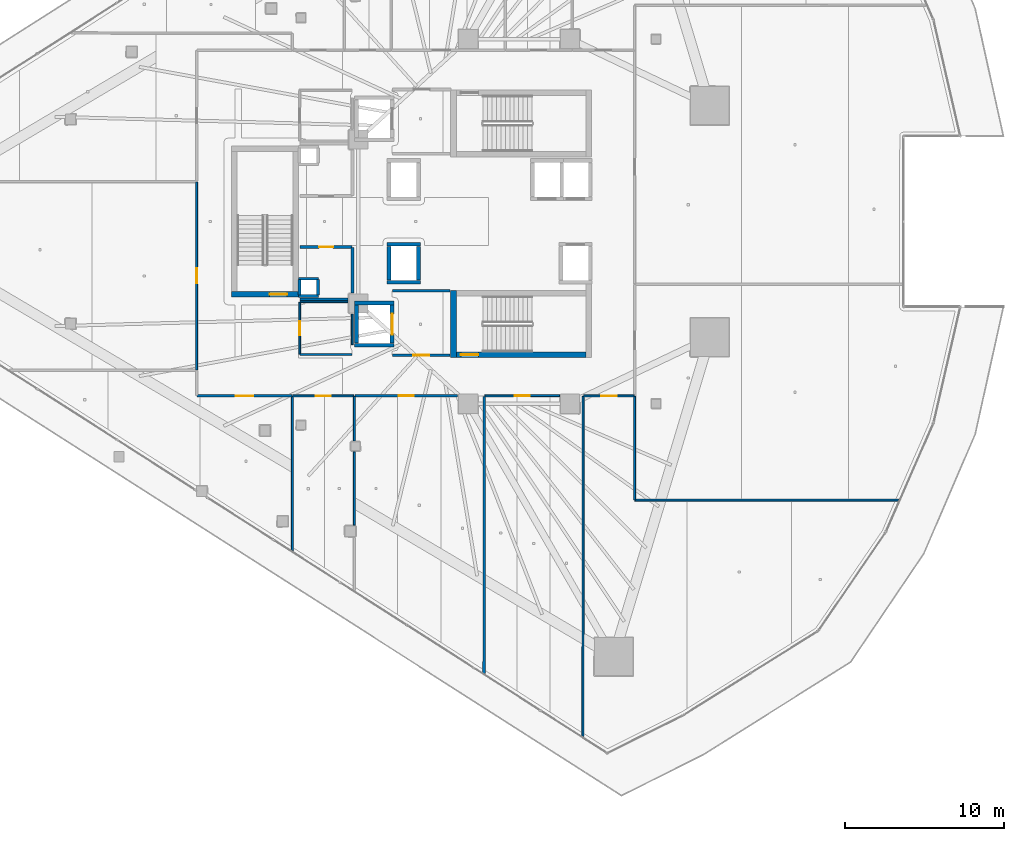
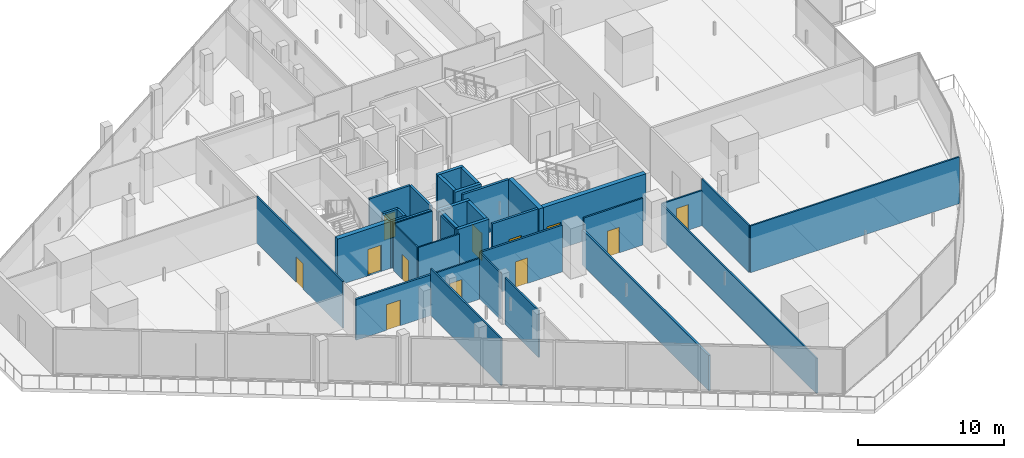
# One storey, part 29 of 44: 37 walls, 12 doors, 12 openings.
"""IFC4 building model written with IfcOpenShell, lengths in metres."""

import ifcopenshell
import ifcopenshell.guid

model = None  # the IFC model being written
_history = None  # IfcOwnerHistory: only IFC2X3 demands one
_inside = {}  # id of a spatial element -> (the spatial element, [elements in it])
_under = {}  # id of a project, library or spatial element -> (it, [spatial elements below it])
_declared = {}  # id of a project -> (the project, [libraries it declares])
_typed = {}  # id of a type object -> (the type object, [elements of that type])
_made_of = {}  # id of a material, layer set ... -> (it, [elements and type objects made of it])


def new_model(schema):
    """Start an empty IFC model of exactly this schema.

    Asked for "IFC4X3", IfcOpenShell would pick the latest addendum, in which some entities
    have other attributes; the version numbers below select the first issue.
    IFC2X3 requires an IfcOwnerHistory on every rooted entity: one is made here for all.
    """
    global model, _history
    if schema == "IFC4X3":
        model = ifcopenshell.file(schema_version=(4, 3, 0, 0))
    else:
        model = ifcopenshell.file(schema=schema)
    _inside.clear()
    _under.clear()
    _declared.clear()
    _typed.clear()
    _made_of.clear()
    _history = None
    if model.schema == "IFC2X3":
        org = make("IfcOrganization", Name="unknown")
        user = make(
            "IfcPersonAndOrganization",
            ThePerson=make("IfcPerson", FamilyName="unknown"),
            TheOrganization=org,
        )
        app = make(
            "IfcApplication",
            ApplicationDeveloper=org,
            Version="unknown",
            ApplicationFullName="unknown",
            ApplicationIdentifier="unknown",
        )
        _history = make(
            "IfcOwnerHistory",
            OwningUser=user,
            OwningApplication=app,
            ChangeAction="ADDED",
            CreationDate=0,
        )
    return model


def make(cls, **values):
    """One entity of the class cls with the attributes given. An attribute that is None is left unset."""
    return model.create_entity(
        cls, **{name: value for name, value in values.items() if value is not None}
    )


def rooted(cls, **values):
    """An entity with a GlobalId (a new one), such as an element, a storey or a relation."""
    return make(cls, GlobalId=ifcopenshell.guid.new(), OwnerHistory=_history, **values)


def si_unit(unit_type, name, prefix=None):
    """IfcSIUnit, for example si_unit("LENGTHUNIT", "METRE", prefix="MILLI")."""
    return make("IfcSIUnit", UnitType=unit_type, Prefix=prefix, Name=name)


def assignment(units):
    """IfcUnitAssignment: the units of a project."""
    return None if units is None else make("IfcUnitAssignment", Units=units)


def point(xyz):
    """IfcCartesianPoint."""
    return None if xyz is None else make("IfcCartesianPoint", Coordinates=xyz)


def direction(xyz):
    """IfcDirection."""
    return None if xyz is None else make("IfcDirection", DirectionRatios=xyz)


def frame(location, z_axis=None, x_axis=None):
    """IfcAxis2Placement3D, a coordinate frame: its origin and axes. An axis left out is left unset."""
    return make(
        "IfcAxis2Placement3D",
        Location=point(location),
        Axis=direction(z_axis),
        RefDirection=direction(x_axis),
    )


def frame_2d(location, x_axis=None):
    """IfcAxis2Placement2D, a coordinate frame in the plane: its origin and x axis."""
    return make(
        "IfcAxis2Placement2D", Location=point(location), RefDirection=direction(x_axis)
    )


def origin():
    """The frame at (0, 0, 0) with its axes left unset."""
    return frame((0.0, 0.0, 0.0))


def place(relative_to, where):
    """IfcLocalPlacement: puts the frame where relative to a parent placement (None: the world)."""
    return make(
        "IfcLocalPlacement", PlacementRelTo=relative_to, RelativePlacement=where
    )


def context(
    kind, dimensions, precision=None, world=None, true_north=None, identifier=None
):
    """IfcGeometricRepresentationContext, for example the 3D "Model" context."""
    return make(
        "IfcGeometricRepresentationContext",
        ContextIdentifier=identifier,
        ContextType=kind,
        CoordinateSpaceDimension=dimensions,
        Precision=precision,
        WorldCoordinateSystem=world,
        TrueNorth=true_north,
    )


def subcontext(parent, identifier, kind, view, scale=None):
    """IfcGeometricRepresentationSubContext, for example "Body" below "Model"."""
    return make(
        "IfcGeometricRepresentationSubContext",
        ContextIdentifier=identifier,
        ContextType=kind,
        ParentContext=parent,
        TargetScale=scale,
        TargetView=view,
    )


def project(units=None, contexts=None):
    """IfcProject with its units and contexts."""
    return rooted(
        "IfcProject",
        Name="project",
        RepresentationContexts=contexts,
        UnitsInContext=assignment(units),
    )


def spatial(cls, under=None, at=None, **own):
    """A site, building, storey or space (cls), placed at a placement, below another one or the project."""
    s = rooted(cls, ObjectPlacement=at, **own)
    if under is not None:
        _under.setdefault(under.id(), (under, []))[1].append(s)
    return s


def profile(cls, at=None, kind="AREA", **sizes):
    """A parametric profile (cls). Its sizes go by their IFC names, for example OverallWidth=200.0."""
    return make(cls, ProfileType=kind, Position=at, **sizes)


def rectangle(**sizes):
    """IfcRectangleProfileDef."""
    return profile("IfcRectangleProfileDef", **sizes)


def extrude(swept, where, along, depth):
    """IfcExtrudedAreaSolid: the profile swept, set in the frame where, extruded along a direction by depth."""
    return make(
        "IfcExtrudedAreaSolid",
        SweptArea=swept,
        Position=where,
        ExtrudedDirection=direction(along),
        Depth=depth,
    )


def shape(context_of_items, identifier, shape_type, items):
    """IfcShapeRepresentation: the items that make up one representation, for example the "Body"."""
    return make(
        "IfcShapeRepresentation",
        ContextOfItems=context_of_items,
        RepresentationIdentifier=identifier,
        RepresentationType=shape_type,
        Items=items,
    )


def material(Name=None, Category=None):
    """IfcMaterial."""
    return make("IfcMaterial", Name=Name, Category=Category)


def layer(
    of_material, thickness, ventilated=None, Name=None, Category=None, Priority=None
):
    """IfcMaterialLayer: one layer of a wall or slab, of a material (None: an air gap)."""
    return make(
        "IfcMaterialLayer",
        Material=of_material,
        LayerThickness=thickness,
        IsVentilated=ventilated,
        Name=Name,
        Category=Category,
        Priority=Priority,
    )


def layer_set(layers, Name=None):
    """IfcMaterialLayerSet."""
    return make("IfcMaterialLayerSet", MaterialLayers=layers, LayerSetName=Name)


def made_of(thing, what):
    """Note that an element or type object is made of a material, layer set ...; save() writes the relation."""
    if what is not None:
        _made_of.setdefault(what.id(), (what, []))[1].append(thing)
    return thing


def type_object(cls, material=None, **own):
    """A type object (cls), such as IfcWallType, which elements share."""
    return made_of(rooted(cls, **own), material)


def element(
    cls,
    number,
    at=None,
    inside=None,
    cuts=None,
    type_object=None,
    material=None,
    context=None,
    identifier="Body",
    shape_type=None,
    held_by="IfcProductDefinitionShape",
    body=None,
    shapes=None,
    **own,
):
    """One element of the class cls, such as IfcWall. Its Tag is "e" and its number.

    at: its placement. inside: the storey or other place that contains it. cuts: it is an
    opening in that element (IfcRelVoidsElement). A single representation is given by context,
    identifier, shape_type and body (its items); several are given by shapes. held_by: the class
    of the entity that holds the representations. save() writes the other relations.
    """
    e = rooted(cls, Tag="e%d" % number, ObjectPlacement=at, **own)
    if body is not None:
        shapes = [shape(context, identifier, shape_type, body)]
    if shapes is not None:
        e.Representation = make(held_by, Representations=shapes)
    if inside is not None:
        _inside.setdefault(inside.id(), (inside, []))[1].append(e)
    if cuts is not None:
        rooted(
            "IfcRelVoidsElement", RelatingBuildingElement=cuts, RelatedOpeningElement=e
        )
    if type_object is not None:
        _typed.setdefault(type_object.id(), (type_object, []))[1].append(e)
    return made_of(e, material)


def fill(opening, filler):
    """IfcRelFillsElement: the door or window that sits in an opening."""
    return rooted(
        "IfcRelFillsElement",
        RelatingOpeningElement=opening,
        RelatedBuildingElement=filler,
    )


def aggregate(whole, parts):
    """IfcRelAggregates: a whole, such as a stair, and the parts it consists of."""
    return rooted("IfcRelAggregates", RelatingObject=whole, RelatedObjects=parts)


def save(model, path):
    """Write the relations noted so far, then the file.

    IfcRelAggregates (storeys below a building ...), IfcRelContainedInSpatialStructure (elements
    in a storey), IfcRelDefinesByType, IfcRelAssociatesMaterial and IfcRelDeclares: one each for
    every whole, place, type object, material and project.
    """
    for whole, parts in _under.values():
        aggregate(whole, parts)
    for where, things in _inside.values():
        rooted(
            "IfcRelContainedInSpatialStructure",
            RelatedElements=things,
            RelatingStructure=where,
        )
    for kind, things in _typed.values():
        rooted("IfcRelDefinesByType", RelatedObjects=things, RelatingType=kind)
    for what, things in _made_of.values():
        rooted("IfcRelAssociatesMaterial", RelatedObjects=things, RelatingMaterial=what)
    for by, libraries in _declared.values():
        rooted("IfcRelDeclares", RelatingContext=by, RelatedDefinitions=libraries)
    model.write(path)


model = new_model("IFC4")

# Units and contexts
model_context = context("Model", 3, precision=1e-05, world=origin(), true_north=direction((0.0, 1.0)))
body_context = subcontext(model_context, "Body", "Model", "MODEL_VIEW")
ifc_project = project(units=[si_unit("LENGTHUNIT", "METRE"), si_unit("AREAUNIT", "SQUARE_METRE"), si_unit("VOLUMEUNIT", "CUBIC_METRE"), si_unit("PLANEANGLEUNIT", "RADIAN"), si_unit("MASSUNIT", "GRAM", prefix="KILO")], contexts=[model_context])

# Site, building, storey
site_placement = place(None, origin())
site = spatial("IfcSite", under=ifc_project, at=site_placement, CompositionType="ELEMENT")
building_placement = place(site_placement, origin())
building = spatial("IfcBuilding", under=site, at=building_placement, Name="Qorvath Tower", CompositionType="ELEMENT")
storey_placement = place(building_placement, frame((0.0, 0.0, 53.39990234375)))
storey = spatial("IfcBuildingStorey", under=building, at=storey_placement, Name="L11", CompositionType="ELEMENT", Elevation=53.39990234375)

# Walls
ifc_material_1 = material(Name="Gypsum shaftliner on steel studs", Category="steel")
ifc_layer_1 = layer(ifc_material_1, 0.179931640625)
ifc_layer_set_1 = layer_set([ifc_layer_1], Name="FW-LOBBY")
wall_type_1 = type_object("IfcWallType", Name="FW-LOBBY", PredefinedType="PARTITIONING", material=ifc_layer_set_1)
for number, where, z_axis, x_axis, name in (
    (1, (-32.989990234375, -4.675048828125, 0.0), (0.0, 0.0, 1.0), (-1.0, 0.0, 0.0), "MEP Riser Shaft Enclosure Wall S-L11-S"),
    (2, (-34.260009765625, -3.594970703125, 0.0), (0.0, 0.0, 1.0), (1.0, 0.0, 0.0), "MEP Riser Shaft Enclosure Wall S-L11-N"),
):
    element("IfcWall", number, at=place(storey_placement, frame(where, z_axis=z_axis, x_axis=x_axis)), inside=storey, type_object=wall_type_1, Name=name, PredefinedType="PARTITIONING", context=body_context, shape_type="SweptSolid", body=[
        extrude(rectangle(XDim=1.27001953125, YDim=0.179931640625, at=frame_2d((0.635009765625, 0.0))), origin(), (0.0, 0.0, 1.0), 3.920166015625),
    ])
for number, where, z_axis, x_axis, name in (
    (3, (-34.205078125, -4.610107421875, 0.0), (0.0, 0.0, 1.0), (0.0, 1.0, 0.0), "MEP Riser Shaft Enclosure Wall S-L11-W"),
    (4, (-33.044921875, -3.659912109375, 0.0), (0.0, 0.0, 1.0), (0.0, -1.0, 0.0), "MEP Riser Shaft Enclosure Wall S-L11-E"),
):
    element("IfcWall", number, at=place(storey_placement, frame(where, z_axis=z_axis, x_axis=x_axis)), inside=storey, type_object=wall_type_1, Name=name, PredefinedType="PARTITIONING", context=body_context, shape_type="SweptSolid", body=[
        extrude(rectangle(XDim=0.9501953125, YDim=0.179931640625, at=frame_2d((0.47509765625, 0.0))), origin(), (0.0, 0.0, 1.0), 3.920166015625),
    ])

# Wall, opening, door
wall_1_placement = place(storey_placement, frame((-28.35498046875, -8.39990234375, 0.0), z_axis=(0.0, 0.0, 1.0), x_axis=(1.0, 0.0, 0.0)))
wall_1 = element("IfcWall", 5, at=wall_1_placement, inside=storey, type_object=wall_type_1, Name="Interior Partition IW-T1-L11-003", PredefinedType="PARTITIONING", context=body_context, shape_type="SweptSolid", body=[
    extrude(rectangle(XDim=3.6220703125, YDim=0.179931640625, at=frame_2d((1.81103515625, 0.0))), origin(), (0.0, 0.0, 1.0), 3.920166015625),
])
opening_1_placement = place(wall_1_placement, frame((1.31103515625, 0.0, 0.0)))
opening_1 = element("IfcOpeningElement", 6, at=opening_1_placement, cuts=wall_1, Name="Opening D-T1-L11-20", PredefinedType="OPENING", context=body_context, shape_type="SweptSolid", body=[
    extrude(rectangle(XDim=1.0, YDim=2.14990234375, at=frame_2d((0.5, 1.074951171875))), frame((0.0, 0.10009765625, 0.0), z_axis=(0.0, -1.0, 0.0), x_axis=(1.0, 0.0, 0.0)), (0.0, 0.0, 1.0), 0.199951171875),
])
ifc_material_2 = material(Name="Painted galvanised hollow metal", Category="steel")
door_type_1 = type_object("IfcDoorType", Name="FD-60", OperationType="NOTDEFINED", PredefinedType="DOOR", material=ifc_material_2)
door_1_placement = place(opening_1_placement, origin())
door_1 = element("IfcDoor", 7, at=door_1_placement, inside=storey, type_object=door_type_1, Name="Lobby Fire Service Elevator South Door D-T1-L11-20", OperationType="SINGLE_SWING_RIGHT", OverallHeight=2.14990234375, OverallWidth=1.0, PredefinedType="DOOR", context=body_context, shape_type="SweptSolid", body=[
    extrude(rectangle(XDim=1.0, YDim=2.14990234375, at=frame_2d((0.5, 1.074951171875))), frame((0.0, 0.02490234375, 0.0), z_axis=(0.0, -1.0, 0.0), x_axis=(1.0, 0.0, 0.0)), (0.0, 0.0, 1.0), 0.050048828125),
])
fill(opening_1, door_1)

# Walls
wall_2_placement = place(storey_placement, frame((-24.73291015625, -4.35009765625, 0.0), z_axis=(0.0, 0.0, 1.0), x_axis=(-1.0, 0.0, 0.0)))
element("IfcWall", 8, at=wall_2_placement, inside=storey, type_object=wall_type_1, Name="Interior Partition IW-T1-L11-004", PredefinedType="PARTITIONING", context=body_context, shape_type="SweptSolid", body=[
    extrude(rectangle(XDim=3.6220703125, YDim=0.179931640625, at=frame_2d((1.81103515625, 0.0))), origin(), (0.0, 0.0, 1.0), 3.920166015625),
])
wall_3_placement = place(storey_placement, frame((-34.15478515625, -4.89990234375, 0.0), z_axis=(0.0, 0.0, 1.0), x_axis=(1.0, 0.0, 0.0)))
element("IfcWall", 9, at=wall_3_placement, inside=storey, type_object=wall_type_1, Name="Interior Partition IW-T1-L11-016", PredefinedType="PARTITIONING", context=body_context, shape_type="SweptSolid", body=[
    extrude(rectangle(XDim=2.98974609375, YDim=0.179931640625, at=frame_2d((1.494873046875, 0.0))), origin(), (0.0, 0.0, 1.0), 3.920166015625),
])
wall_4_placement = place(storey_placement, frame((-30.8798828125, -4.485107421875, 0.0), z_axis=(0.0, 0.0, 1.0), x_axis=(0.0, 1.0, 0.0)))
element("IfcWall", 10, at=wall_4_placement, inside=storey, type_object=wall_type_1, Name="Interior Partition IW-T1-L11-017", PredefinedType="PARTITIONING", context=body_context, shape_type="SweptSolid", body=[
    extrude(rectangle(XDim=2.860107421875, YDim=0.179931640625, at=frame_2d((1.43017578125, 0.0))), origin(), (0.0, 0.0, 1.0), 3.920166015625),
])

# Wall, opening, door
wall_5_placement = place(storey_placement, frame((-30.90478515625, -1.60009765625, 0.0), z_axis=(0.0, 0.0, 1.0), x_axis=(-1.0, 0.0, 0.0)))
wall_5 = element("IfcWall", 11, at=wall_5_placement, inside=storey, type_object=wall_type_1, Name="Interior Partition IW-T1-L11-018", PredefinedType="PARTITIONING", context=body_context, shape_type="SweptSolid", body=[
    extrude(rectangle(XDim=3.25, YDim=0.179931640625, at=frame_2d((1.625, 0.0))), origin(), (0.0, 0.0, 1.0), 3.920166015625),
])
opening_2_placement = place(wall_5_placement, frame((1.18505859375, 0.0, 0.0)))
opening_2 = element("IfcOpeningElement", 12, at=opening_2_placement, cuts=wall_5, Name="Opening D-T1-L11-04", PredefinedType="OPENING", context=body_context, shape_type="SweptSolid", body=[
    extrude(rectangle(XDim=0.8798828125, YDim=2.10009765625, at=frame_2d((0.43994140625, 1.050048828125))), frame((0.0, 0.10009765625, 0.0), z_axis=(0.0, -1.0, 0.0), x_axis=(1.0, 0.0, 0.0)), (0.0, 0.0, 1.0), 0.199951171875),
])
ifc_material_3 = material(Name="Painted galvanised hollow metal", Category="steel")
door_type_2 = type_object("IfcDoorType", Name="FD-60N", OperationType="NOTDEFINED", PredefinedType="DOOR", material=ifc_material_3)
door_2_placement = place(opening_2_placement, origin())
door_2 = element("IfcDoor", 13, at=door_2_placement, inside=storey, type_object=door_type_2, Name="Core electrical room L11 Door D-T1-L11-04", OperationType="SINGLE_SWING_RIGHT", OverallHeight=2.10009765625, OverallWidth=0.8798828125, PredefinedType="DOOR", context=body_context, shape_type="SweptSolid", body=[
    extrude(rectangle(XDim=0.8798828125, YDim=2.10009765625, at=frame_2d((0.43994140625, 1.050048828125))), frame((0.0, 0.02490234375, 0.0), z_axis=(0.0, -1.0, 0.0), x_axis=(1.0, 0.0, 0.0)), (0.0, 0.0, 1.0), 0.050048828125),
])
fill(opening_2, door_2)

ifc_material_4 = material(Name="Double acoustic gypsum board on steel studs", Category="steel")
ifc_layer_2 = layer(ifc_material_4, 0.159912109375)
ifc_layer_set_2 = layer_set([ifc_layer_2], Name="IW-ACOUSTIC-160")
wall_type_2 = type_object("IfcWallType", Name="IW-ACOUSTIC-160", PredefinedType="PARTITIONING", material=ifc_layer_set_2)
wall_6_placement = place(storey_placement, frame((-24.264892578125, -10.935302734375, 0.0), z_axis=(0.0, 0.0, 1.0), x_axis=(-0.999993822894, -0.003514850354, 0.0)))
wall_6 = element("IfcWall", 14, at=wall_6_placement, inside=storey, type_object=wall_type_2, Name="Interior Partition IW-T1-L11-039", PredefinedType="PARTITIONING", context=body_context, shape_type="SweptSolid", body=[
    extrude(rectangle(XDim=6.459716796875, YDim=0.159912109375, at=frame_2d((3.22998046875, 0.0))), origin(), (0.0, 0.0, 1.0), 3.920166015625),
])
opening_3_placement = place(wall_6_placement, frame((2.7548828125, 0.0, 0.0)))
opening_3 = element("IfcOpeningElement", 15, at=opening_3_placement, cuts=wall_6, Name="Opening D-T1-L11-11", PredefinedType="OPENING", context=body_context, shape_type="SweptSolid", body=[
    extrude(rectangle(XDim=0.949951171875, YDim=2.14990234375, at=frame_2d((0.47509765625, 1.074951171875))), frame((0.0, 0.08984375, 0.0), z_axis=(0.0, -1.0, 0.0), x_axis=(1.0, 0.0, 0.0)), (0.0, 0.0, 1.0), 0.179931640625),
])
ifc_material_5 = material(Name="Solid-core American white oak veneer", Category="wood")
door_type_3 = type_object("IfcDoorType", Name="D-01", OperationType="NOTDEFINED", PredefinedType="DOOR", material=ifc_material_5)
door_3_placement = place(opening_3_placement, origin())
door_3 = element("IfcDoor", 16, at=door_3_placement, inside=storey, type_object=door_type_3, Name="L11-07 Breakout Reading Alcove Door D-T1-L11-11", OperationType="SINGLE_SWING_LEFT", OverallHeight=2.14990234375, OverallWidth=0.949951171875, PredefinedType="DOOR", context=body_context, shape_type="SweptSolid", body=[
    extrude(rectangle(XDim=0.949951171875, YDim=2.14990234375, at=frame_2d((0.47509765625, 1.074951171875))), frame((0.0, 0.02490234375, 0.0), z_axis=(0.0, -1.0, 0.0), x_axis=(1.0, 0.0, 0.0)), (0.0, 0.0, 1.0), 0.050048828125),
])
fill(opening_3, door_3)

# Wall
wall_7_placement = place(storey_placement, frame((-22.6083984375, -28.378173828125, 0.0), z_axis=(0.0, 0.0, 1.0), x_axis=(0.001038581355, 0.999999460674, 0.0)))
element("IfcWall", 17, at=wall_7_placement, inside=storey, type_object=wall_type_2, Name="Interior Partition IW-T1-L11-040", PredefinedType="PARTITIONING", context=body_context, shape_type="SweptSolid", body=[
    extrude(rectangle(XDim=17.395263671875, YDim=0.159912109375, at=frame_2d((8.69775390625, 0.0))), origin(), (0.0, 0.0, 1.0), 2.95703125),
])

# Wall, opening, door
wall_8_placement = place(storey_placement, frame((-34.68310546875, -10.9580078125, 0.0), z_axis=(0.0, 0.0, 1.0), x_axis=(-1.0, 0.0, 0.0)))
wall_8 = element("IfcWall", 18, at=wall_8_placement, inside=storey, type_object=wall_type_2, Name="Interior Partition IW-T1-L11-049", PredefinedType="PARTITIONING", context=body_context, shape_type="SweptSolid", body=[
    extrude(rectangle(XDim=5.949951171875, YDim=0.159912109375, at=frame_2d((2.97509765625, 0.0))), origin(), (0.0, 0.0, 1.0), 3.43310546875),
])
opening_4_placement = place(wall_8_placement, frame((2.425048828125, 0.0, 0.0)))
opening_4 = element("IfcOpeningElement", 19, at=opening_4_placement, cuts=wall_8, Name="Opening D-T1-L11-16", PredefinedType="OPENING", context=body_context, shape_type="SweptSolid", body=[
    extrude(rectangle(XDim=1.10009765625, YDim=2.14990234375, at=frame_2d((0.550048828125, 1.074951171875))), frame((0.0, 0.08984375, 0.0), z_axis=(0.0, -1.0, 0.0), x_axis=(1.0, 0.0, 0.0)), (0.0, 0.0, 1.0), 0.179931640625),
])
ifc_material_6 = material(Name="Anodised aluminium acoustic framed glass", Category="aluminium")
door_type_4 = type_object("IfcDoorType", Name="D-03", OperationType="NOTDEFINED", PredefinedType="DOOR", material=ifc_material_6)
door_4_placement = place(opening_4_placement, origin())
door_4 = element("IfcDoor", 20, at=door_4_placement, inside=storey, type_object=door_type_4, Name="L11-12 Client Services Office Door D-T1-L11-16", OperationType="SINGLE_SWING_RIGHT", OverallHeight=2.14990234375, OverallWidth=1.10009765625, PredefinedType="DOOR", context=body_context, shape_type="SweptSolid", body=[
    extrude(rectangle(XDim=1.10009765625, YDim=2.14990234375, at=frame_2d((0.550048828125, 1.074951171875))), frame((0.0, 0.02490234375, 0.0), z_axis=(0.0, -1.0, 0.0), x_axis=(1.0, 0.0, 0.0)), (0.0, 0.0, 1.0), 0.050048828125),
])
fill(opening_4, door_4)

ifc_material_7 = material(Name="Gypsum board on metal studs with mineral wool", Category="gypsum")
ifc_layer_3 = layer(ifc_material_7, 0.125)
ifc_layer_set_3 = layer_set([ifc_layer_3], Name="IW-PART-125")
wall_type_3 = type_object("IfcWallType", Name="IW-PART-125", PredefinedType="PARTITIONING", material=ifc_layer_set_3)
wall_9_placement = place(storey_placement, frame((-30.7822265625, -10.9580078125, 0.0), z_axis=(0.0, 0.0, 1.0), x_axis=(-1.0, 0.0, 0.0)))
wall_9 = element("IfcWall", 21, at=wall_9_placement, inside=storey, type_object=wall_type_3, Name="Interior Partition IW-T1-L11-034", PredefinedType="PARTITIONING", context=body_context, shape_type="SweptSolid", body=[
    extrude(rectangle(XDim=3.8427734375, YDim=0.125, at=frame_2d((1.92138671875, 0.0))), origin(), (0.0, 0.0, 1.0), 3.43310546875),
])
opening_5_placement = place(wall_9_placement, frame((1.4462890625, 0.0, 0.0)))
opening_5 = element("IfcOpeningElement", 22, at=opening_5_placement, cuts=wall_9, Name="Opening D-T1-L11-10", PredefinedType="OPENING", context=body_context, shape_type="SweptSolid", body=[
    extrude(rectangle(XDim=0.949951171875, YDim=2.14990234375, at=frame_2d((0.47509765625, 1.074951171875))), frame((0.0, 0.072509765625, 0.0), z_axis=(0.0, -1.0, 0.0), x_axis=(1.0, 0.0, 0.0)), (0.0, 0.0, 1.0), 0.14501953125),
])
door_5_placement = place(opening_5_placement, origin())
door_5 = element("IfcDoor", 23, at=door_5_placement, inside=storey, type_object=door_type_3, Name="L11-06 Executive Partner Office Door D-T1-L11-10", OperationType="SINGLE_SWING_RIGHT", OverallHeight=2.14990234375, OverallWidth=0.949951171875, PredefinedType="DOOR", context=body_context, shape_type="SweptSolid", body=[
    extrude(rectangle(XDim=0.949951171875, YDim=2.14990234375, at=frame_2d((0.47509765625, 1.074951171875))), frame((0.0, 0.02490234375, 0.0), z_axis=(0.0, -1.0, 0.0), x_axis=(1.0, 0.0, 0.0)), (0.0, 0.0, 1.0), 0.050048828125),
])
fill(opening_5, door_5)

# Walls
wall_10_placement = place(storey_placement, frame((-34.64990234375, -10.98291015625, 0.0), z_axis=(0.0, 0.0, 1.0), x_axis=(0.0, -1.0, 0.0)))
element("IfcWall", 24, at=wall_10_placement, inside=storey, type_object=wall_type_3, Name="Interior Partition IW-T1-L11-035", PredefinedType="PARTITIONING", context=body_context, shape_type="SweptSolid", body=[
    extrude(rectangle(XDim=9.69921875, YDim=0.125, at=frame_2d((4.849609375, 0.0))), origin(), (0.0, 0.0, 1.0), 3.920166015625),
])
wall_11_placement = place(storey_placement, frame((-30.75732421875, -19.0703125, 0.0), z_axis=(0.0, 0.0, 1.0), x_axis=(0.0, 1.0, 0.0)))
element("IfcWall", 25, at=wall_11_placement, inside=storey, type_object=wall_type_3, Name="Interior Partition IW-T1-L11-037", PredefinedType="PARTITIONING", context=body_context, shape_type="SweptSolid", body=[
    extrude(rectangle(XDim=4.60595703125, YDim=0.125, at=frame_2d((2.302978515625, 0.0))), origin(), (0.0, 0.0, 1.0), 3.920166015625),
])
wall_12_placement = place(storey_placement, frame((-30.75732421875, -13.7841796875, 0.0), z_axis=(0.0, 0.0, 1.0), x_axis=(0.0, 1.0, 0.0)))
element("IfcWall", 26, at=wall_12_placement, inside=storey, type_object=wall_type_3, Name="Interior Partition IW-T1-L11-038", PredefinedType="PARTITIONING", context=body_context, shape_type="SweptSolid", body=[
    extrude(rectangle(XDim=2.80126953125, YDim=0.125, at=frame_2d((1.400634765625, 0.0))), origin(), (0.0, 0.0, 1.0), 3.920166015625),
])

# Wall, opening, door
wall_13_placement = place(storey_placement, frame((-17.864990234375, -10.935302734375, 0.0), z_axis=(0.0, 0.0, 1.0), x_axis=(-0.999988544042, -0.004786625705, 0.0)))
wall_13 = element("IfcWall", 27, at=wall_13_placement, inside=storey, type_object=wall_type_3, Name="Interior Partition IW-T1-L11-041", PredefinedType="PARTITIONING", context=body_context, shape_type="SweptSolid", body=[
    extrude(rectangle(XDim=4.6923828125, YDim=0.125, at=frame_2d((2.34619140625, 0.0))), origin(), (0.0, 0.0, 1.0), 3.920166015625),
])
opening_6_placement = place(wall_13_placement, frame((1.871337890625, 0.0, 0.0)))
opening_6 = element("IfcOpeningElement", 28, at=opening_6_placement, cuts=wall_13, Name="Opening D-T1-L11-12", PredefinedType="OPENING", context=body_context, shape_type="SweptSolid", body=[
    extrude(rectangle(XDim=0.949951171875, YDim=2.14990234375, at=frame_2d((0.47509765625, 1.074951171875))), frame((0.0, 0.072509765625, 0.0), z_axis=(0.0, -1.0, 0.0), x_axis=(1.0, 0.0, 0.0)), (0.0, 0.0, 1.0), 0.14501953125),
])
door_6_placement = place(opening_6_placement, origin())
door_6 = element("IfcDoor", 29, at=door_6_placement, inside=storey, type_object=door_type_3, Name="L11-08 Quantitative Research Studio Door D-T1-L11-12", OperationType="SINGLE_SWING_RIGHT", OverallHeight=2.14990234375, OverallWidth=0.949951171875, PredefinedType="DOOR", context=body_context, shape_type="SweptSolid", body=[
    extrude(rectangle(XDim=0.949951171875, YDim=2.14990234375, at=frame_2d((0.47509765625, 1.074951171875))), frame((0.0, 0.02490234375, 0.0), z_axis=(0.0, -1.0, 0.0), x_axis=(1.0, 0.0, 0.0)), (0.0, 0.0, 1.0), 0.050048828125),
])
fill(opening_6, door_6)

# Walls
wall_14_placement = place(storey_placement, frame((-16.395751953125, -32.348876953125, 0.0), z_axis=(0.0, 0.0, 1.0), x_axis=(0.000845569029, 0.999999642506, 0.0)))
element("IfcWall", 30, at=wall_14_placement, inside=storey, type_object=wall_type_3, Name="Interior Partition IW-T1-L11-042", PredefinedType="PARTITIONING", context=body_context, shape_type="SweptSolid", body=[
    extrude(rectangle(XDim=21.365966796875, YDim=0.125, at=frame_2d((10.68310546875, 0.0))), origin(), (0.0, 0.0, 1.0), 2.95703125),
])
wall_15_placement = place(storey_placement, frame((3.427734375, -17.509765625, 0.0), z_axis=(0.0, 0.0, 1.0), x_axis=(-0.99999999467, 0.000103244837, 0.0)))
element("IfcWall", 31, at=wall_15_placement, inside=storey, type_object=wall_type_3, Name="Interior Partition IW-T1-L11-043", PredefinedType="PARTITIONING", context=body_context, shape_type="SweptSolid", body=[
    extrude(rectangle(XDim=16.552734375, YDim=0.125, at=frame_2d((8.2763671875, 0.0))), origin(), (0.0, 0.0, 1.0), 3.920166015625),
])
wall_16_placement = place(storey_placement, frame((-13.14990234375, -10.98291015625, 0.0), z_axis=(0.0, 0.0, 1.0), x_axis=(0.0, -1.0, 0.0)))
element("IfcWall", 32, at=wall_16_placement, inside=storey, type_object=wall_type_3, Name="Interior Partition IW-T1-L11-044", PredefinedType="PARTITIONING", context=body_context, shape_type="SweptSolid", body=[
    extrude(rectangle(XDim=6.500244140625, YDim=0.125, at=frame_2d((3.25, 0.0))), origin(), (0.0, 0.0, 1.0), 3.920166015625),
])

# Wall, opening, door
wall_17_placement = place(storey_placement, frame((-13.1748046875, -10.9580078125, 0.0), z_axis=(0.0, 0.0, 1.0), x_axis=(-1.0, 0.0, 0.0)))
wall_17 = element("IfcWall", 33, at=wall_17_placement, inside=storey, type_object=wall_type_3, Name="Interior Partition IW-T1-L11-045", PredefinedType="PARTITIONING", context=body_context, shape_type="SweptSolid", body=[
    extrude(rectangle(XDim=3.169677734375, YDim=0.125, at=frame_2d((1.5849609375, 0.0))), origin(), (0.0, 0.0, 1.0), 2.95703125),
])
opening_7_placement = place(wall_17_placement, frame((1.10986328125, 0.0, 0.0)))
opening_7 = element("IfcOpeningElement", 34, at=opening_7_placement, cuts=wall_17, Name="Opening D-T1-L11-13", PredefinedType="OPENING", context=body_context, shape_type="SweptSolid", body=[
    extrude(rectangle(XDim=0.949951171875, YDim=2.14990234375, at=frame_2d((0.47509765625, 1.074951171875))), frame((0.0, 0.072509765625, 0.0), z_axis=(0.0, -1.0, 0.0), x_axis=(1.0, 0.0, 0.0)), (0.0, 0.0, 1.0), 0.14501953125),
])
door_7_placement = place(opening_7_placement, origin())
door_7 = element("IfcDoor", 35, at=door_7_placement, inside=storey, type_object=door_type_3, Name="L11-09 Engineering Documentation Suite Door D-T1-L11-13", OperationType="SINGLE_SWING_LEFT", OverallHeight=2.14990234375, OverallWidth=0.949951171875, PredefinedType="DOOR", context=body_context, shape_type="SweptSolid", body=[
    extrude(rectangle(XDim=0.949951171875, YDim=2.14990234375, at=frame_2d((0.47509765625, 1.074951171875))), frame((0.0, 0.02490234375, 0.0), z_axis=(0.0, -1.0, 0.0), x_axis=(1.0, 0.0, 0.0)), (0.0, 0.0, 1.0), 0.050048828125),
])
fill(opening_7, door_7)

wall_18_placement = place(storey_placement, frame((-40.657958984375, -9.316650390625, 0.0), z_axis=(0.0, 0.0, 1.0), x_axis=(0.0, 1.0, 0.0)))
wall_18 = element("IfcWall", 36, at=wall_18_placement, inside=storey, type_object=wall_type_3, Name="Interior Partition IW-T1-L11-052", PredefinedType="PARTITIONING", context=body_context, shape_type="SweptSolid", body=[
    extrude(rectangle(XDim=11.791259765625, YDim=0.125, at=frame_2d((5.8955078125, 0.0))), origin(), (0.0, 0.0, 1.0), 3.920166015625),
])
opening_8_placement = place(wall_18_placement, frame((5.420654296875, 0.0, 0.0)))
opening_8 = element("IfcOpeningElement", 37, at=opening_8_placement, cuts=wall_18, Name="Opening D-T1-L11-17", PredefinedType="OPENING", context=body_context, shape_type="SweptSolid", body=[
    extrude(rectangle(XDim=0.949951171875, YDim=2.14990234375, at=frame_2d((0.47509765625, 1.074951171875))), frame((0.0, 0.072509765625, 0.0), z_axis=(0.0, -1.0, 0.0), x_axis=(1.0, 0.0, 0.0)), (0.0, 0.0, 1.0), 0.14501953125),
])
door_8_placement = place(opening_8_placement, origin())
door_8 = element("IfcDoor", 38, at=door_8_placement, inside=storey, type_object=door_type_3, Name="L11-13 Project Collaboration Workspace Door D-T1-L11-17", OperationType="SINGLE_SWING_LEFT", OverallHeight=2.14990234375, OverallWidth=0.949951171875, PredefinedType="DOOR", context=body_context, shape_type="SweptSolid", body=[
    extrude(rectangle(XDim=0.949951171875, YDim=2.14990234375, at=frame_2d((0.47509765625, 1.074951171875))), frame((0.0, 0.02490234375, 0.0), z_axis=(0.0, -1.0, 0.0), x_axis=(1.0, 0.0, 0.0)), (0.0, 0.0, 1.0), 0.050048828125),
])
fill(opening_8, door_8)

# Walls
ifc_material_8 = material(Name="Moisture-resistant cement board on metal studs", Category="gypsum")
ifc_layer_4 = layer(ifc_material_8, 0.110107421875)
ifc_layer_set_4 = layer_set([ifc_layer_4], Name="IW-WC-110")
wall_type_4 = type_object("IfcWallType", Name="IW-WC-110", PredefinedType="PARTITIONING", material=ifc_layer_set_4)
wall_19_placement = place(storey_placement, frame((-34.15478515625, -8.35009765625, 0.0), z_axis=(0.0, 0.0, 1.0), x_axis=(1.0, 0.0, 0.0)))
element("IfcWall", 39, at=wall_19_placement, inside=storey, type_object=wall_type_4, Name="Interior Partition IW-T1-L11-009", PredefinedType="PARTITIONING", context=body_context, shape_type="SweptSolid", body=[
    extrude(rectangle(XDim=3.25, YDim=0.110107421875, at=frame_2d((1.625, 0.0))), origin(), (0.0, 0.0, 1.0), 3.920166015625),
])
wall_20_placement = place(storey_placement, frame((-30.8798828125, -7.742919921875, 0.0), z_axis=(0.0, 0.0, 1.0), x_axis=(0.0, 1.0, 0.0)))
element("IfcWall", 40, at=wall_20_placement, inside=storey, type_object=wall_type_4, Name="Interior Partition IW-T1-L11-010", PredefinedType="PARTITIONING", context=body_context, shape_type="SweptSolid", body=[
    extrude(rectangle(XDim=1.927978515625, YDim=0.110107421875, at=frame_2d((0.9638671875, 0.0))), origin(), (0.0, 0.0, 1.0), 3.920166015625),
])
wall_21_placement = place(storey_placement, frame((-31.1650390625, -5.050048828125, 0.0), z_axis=(0.0, 0.0, 1.0), x_axis=(-1.0, 0.0, 0.0)))
element("IfcWall", 41, at=wall_21_placement, inside=storey, type_object=wall_type_4, Name="Interior Partition IW-T1-L11-011", PredefinedType="PARTITIONING", context=body_context, shape_type="SweptSolid", body=[
    extrude(rectangle(XDim=2.98974609375, YDim=0.110107421875, at=frame_2d((1.494873046875, 0.0))), origin(), (0.0, 0.0, 1.0), 3.920166015625),
])

# Wall, opening, door
wall_22_placement = place(storey_placement, frame((-34.179931640625, -5.074951171875, 0.0), z_axis=(0.0, 0.0, 1.0), x_axis=(0.0, -1.0, 0.0)))
wall_22 = element("IfcWall", 42, at=wall_22_placement, inside=storey, type_object=wall_type_4, Name="Interior Partition IW-T1-L11-012", PredefinedType="PARTITIONING", context=body_context, shape_type="SweptSolid", body=[
    extrude(rectangle(XDim=3.250244140625, YDim=0.110107421875, at=frame_2d((1.625, 0.0))), origin(), (0.0, 0.0, 1.0), 3.920166015625),
])
opening_9_placement = place(wall_22_placement, frame((1.18505859375, 0.0, 0.0)))
opening_9 = element("IfcOpeningElement", 43, at=opening_9_placement, cuts=wall_22, Name="Opening D-T1-L11-02", PredefinedType="OPENING", context=body_context, shape_type="SweptSolid", body=[
    extrude(rectangle(XDim=0.8798828125, YDim=2.10009765625, at=frame_2d((0.43994140625, 1.050048828125))), frame((0.0, 0.06494140625, 0.0), z_axis=(0.0, -1.0, 0.0), x_axis=(1.0, 0.0, 0.0)), (0.0, 0.0, 1.0), 0.130126953125),
])
ifc_material_9 = material(Name="Solid-core oak with acoustic drop seal", Category="wood")
door_type_5 = type_object("IfcDoorType", Name="D-02", OperationType="NOTDEFINED", PredefinedType="DOOR", material=ifc_material_9)
door_9_placement = place(opening_9_placement, origin())
door_9 = element("IfcDoor", 44, at=door_9_placement, inside=storey, type_object=door_type_5, Name="Accessible WC South L11 Door D-T1-L11-02", OperationType="SINGLE_SWING_RIGHT", OverallHeight=2.10009765625, OverallWidth=0.8798828125, PredefinedType="DOOR", context=body_context, shape_type="SweptSolid", body=[
    extrude(rectangle(XDim=0.8798828125, YDim=2.10009765625, at=frame_2d((0.43994140625, 1.050048828125))), frame((0.0, 0.02490234375, 0.0), z_axis=(0.0, -1.0, 0.0), x_axis=(1.0, 0.0, 0.0)), (0.0, 0.0, 1.0), 0.050048828125),
])
fill(opening_9, door_9)

# Walls
ifc_material_10 = material(Name="Concrete C60/75", Category="concrete")
ifc_layer_5 = layer(ifc_material_10, 0.260009765625)
ifc_layer_set_5 = layer_set([ifc_layer_5], Name="SW-SHAFT")
wall_type_5 = type_object("IfcWallType", Name="SW-SHAFT", PredefinedType="SHEAR", material=ifc_layer_set_5)
for number, where, z_axis, x_axis, name in (
    (45, (-28.260009765625, -7.77001953125, 0.0), (0.0, 0.0, 1.0), (-1.0, 0.0, 0.0), "Hoistway Wall FSAE-2 L11 S"),
    (46, (-30.739990234375, -5.1298828125, 0.0), (0.0, 0.0, 1.0), (1.0, 0.0, 0.0), "Hoistway Wall FSAE-2 L11 N"),
):
    element("IfcWall", number, at=place(storey_placement, frame(where, z_axis=z_axis, x_axis=x_axis)), inside=storey, type_object=wall_type_5, Name=name, PredefinedType="SHEAR", context=body_context, shape_type="SweptSolid", body=[
        extrude(rectangle(XDim=2.47998046875, YDim=0.239990234375, at=frame_2d((1.239990234375, 0.0))), origin(), (0.0, 0.0, 1.0), 3.920166015625),
    ])
wall_23_placement = place(storey_placement, frame((-30.6201171875, -7.637939453125, 0.0), z_axis=(0.0, 0.0, 1.0), x_axis=(0.0, 1.0, 0.0)))
element("IfcWall", 47, at=wall_23_placement, inside=storey, type_object=wall_type_5, Name="Hoistway Wall FSAE-2 L11 W", PredefinedType="SHEAR", context=body_context, shape_type="SweptSolid", body=[
    extrude(rectangle(XDim=2.3759765625, YDim=0.239990234375, at=frame_2d((1.18798828125, 0.0))), origin(), (0.0, 0.0, 1.0), 3.920166015625),
])

# Wall, opening, door
wall_24_placement = place(storey_placement, frame((-28.3798828125, -5.261962890625, 0.0), z_axis=(0.0, 0.0, 1.0), x_axis=(0.0, -1.0, 0.0)))
wall_24 = element("IfcWall", 48, at=wall_24_placement, inside=storey, type_object=wall_type_5, Name="Hoistway Wall FSAE-2 L11 E", PredefinedType="SHEAR", context=body_context, shape_type="SweptSolid", body=[
    extrude(rectangle(XDim=2.3759765625, YDim=0.239990234375, at=frame_2d((1.18798828125, 0.0))), origin(), (0.0, 0.0, 1.0), 3.920166015625),
])
opening_10_placement = place(wall_24_placement, frame((0.5380859375, 0.0, 0.0)))
opening_10 = element("IfcOpeningElement", 49, at=opening_10_placement, cuts=wall_24, Name="Opening LD-FSAE-2-L11", PredefinedType="OPENING", context=body_context, shape_type="SweptSolid", body=[
    extrude(rectangle(XDim=1.300048828125, YDim=2.300048828125, at=frame_2d((0.64990234375, 1.14990234375))), frame((0.0, 0.1298828125, 0.0), z_axis=(0.0, -1.0, 0.0), x_axis=(1.0, 0.0, 0.0)), (0.0, 0.0, 1.0), 0.260009765625),
])
ifc_material_11 = material(Name="Brushed stainless steel AISI 316", Category="steel")
door_type_6 = type_object("IfcDoorType", Name="LD-02", OperationType="NOTDEFINED", PredefinedType="DOOR", material=ifc_material_11)
door_10_placement = place(opening_10_placement, origin())
door_10 = element("IfcDoor", 50, at=door_10_placement, inside=storey, type_object=door_type_6, Name="Elevator Landing Sliding Door LD-FSAE-2-L11", OperationType="DOUBLE_DOOR_SLIDING", OverallHeight=2.300048828125, OverallWidth=1.300048828125, PredefinedType="DOOR", context=body_context, shape_type="SweptSolid", body=[
    extrude(rectangle(XDim=1.300048828125, YDim=2.300048828125, at=frame_2d((0.64990234375, 1.14990234375))), frame((0.0, 0.02490234375, 0.0), z_axis=(0.0, -1.0, 0.0), x_axis=(1.0, 0.0, 0.0)), (0.0, 0.0, 1.0), 0.050048828125),
])
fill(opening_10, door_10)

# Walls
for number, where, z_axis, x_axis, name in (
    (51, (-26.610107421875, -3.820068359375, 0.0), (0.0, 0.0, 1.0), (-1.0, 0.0, 0.0), "Hoistway Wall PS-2 L11 S"),
    (52, (-28.68994140625, -1.429931640625, 0.0), (0.0, 0.0, 1.0), (1.0, 0.0, 0.0), "Hoistway Wall PS-2 L11 N"),
):
    element("IfcWall", number, at=place(storey_placement, frame(where, z_axis=z_axis, x_axis=x_axis)), inside=storey, type_object=wall_type_5, Name=name, PredefinedType="SHEAR", context=body_context, shape_type="SweptSolid", body=[
        extrude(rectangle(XDim=2.079833984375, YDim=0.239990234375, at=frame_2d((1.0400390625, 0.0))), origin(), (0.0, 0.0, 1.0), 3.920166015625),
    ])
for number, where, z_axis, x_axis, name in (
    (53, (-28.570068359375, -3.68798828125, 0.0), (0.0, 0.0, 1.0), (0.0, 1.0, 0.0), "Hoistway Wall PS-2 L11 W"),
    (54, (-26.72998046875, -1.56201171875, 0.0), (0.0, 0.0, 1.0), (0.0, -1.0, 0.0), "Hoistway Wall PS-2 L11 E"),
):
    element("IfcWall", number, at=place(storey_placement, frame(where, z_axis=z_axis, x_axis=x_axis)), inside=storey, type_object=wall_type_5, Name=name, PredefinedType="SHEAR", context=body_context, shape_type="SweptSolid", body=[
        extrude(rectangle(XDim=2.1259765625, YDim=0.239990234375, at=frame_2d((1.06298828125, 0.0))), origin(), (0.0, 0.0, 1.0), 3.920166015625),
    ])
ifc_material_12 = material(Name="Concrete C60/75", Category="concrete")
ifc_layer_6 = layer(ifc_material_12, 0.35009765625)
ifc_layer_set_6 = layer_set([ifc_layer_6], Name="SW-STAIR")
wall_type_6 = type_object("IfcWallType", Name="SW-STAIR", PredefinedType="SHEAR", material=ifc_layer_set_6)
wall_25_placement = place(storey_placement, frame((-24.52490234375, -4.340087890625, 0.0), z_axis=(0.0, 0.0, 1.0), x_axis=(0.0, -1.0, 0.0)))
element("IfcWall", 55, at=wall_25_placement, inside=storey, type_object=wall_type_6, Name="Stair TS2 Shear Wall L11 NEAR", PredefinedType="SHEAR", context=body_context, shape_type="SweptSolid", body=[
    extrude(rectangle(XDim=4.2099609375, YDim=0.35009765625, at=frame_2d((2.10498046875, 0.0))), origin(), (0.0, 0.0, 1.0), 3.920166015625),
])

# Wall, opening, door
wall_26_placement = place(storey_placement, frame((-24.3349609375, -8.375, 0.0), z_axis=(0.0, 0.0, 1.0), x_axis=(1.0, 0.0, 0.0)))
wall_26 = element("IfcWall", 56, at=wall_26_placement, inside=storey, type_object=wall_type_6, Name="Stair TS2 Shear Wall L11 LEFT", PredefinedType="SHEAR", context=body_context, shape_type="SweptSolid", body=[
    extrude(rectangle(XDim=8.119873046875, YDim=0.35009765625, at=frame_2d((4.06005859375, 0.0))), origin(), (0.0, 0.0, 1.0), 3.920166015625),
])
opening_11_placement = place(wall_26_placement, frame((0.280029296875, 0.0, 0.0)))
opening_11 = element("IfcOpeningElement", 57, at=opening_11_placement, cuts=wall_26, Name="Opening D-TS2-L11", PredefinedType="OPENING", context=body_context, shape_type="SweptSolid", body=[
    extrude(rectangle(XDim=1.10009765625, YDim=2.199951171875, at=frame_2d((0.550048828125, 1.10009765625))), frame((0.0, 0.18505859375, 0.0), z_axis=(0.0, -1.0, 0.0), x_axis=(1.0, 0.0, 0.0)), (0.0, 0.0, 1.0), 0.3701171875),
])
ifc_material_13 = material(Name="Painted galvanised hollow metal", Category="steel")
door_type_7 = type_object("IfcDoorType", Name="FD-90", OperationType="NOTDEFINED", PredefinedType="DOOR", material=ifc_material_13)
door_11_placement = place(opening_11_placement, origin())
door_11 = element("IfcDoor", 58, at=door_11_placement, inside=storey, type_object=door_type_7, Name="Stair TS2 Fire Door L11", OperationType="SINGLE_SWING_RIGHT", OverallHeight=2.199951171875, OverallWidth=1.10009765625, PredefinedType="DOOR", context=body_context, shape_type="SweptSolid", body=[
    extrude(rectangle(XDim=1.10009765625, YDim=2.199951171875, at=frame_2d((0.550048828125, 1.10009765625))), frame((0.0, 0.02490234375, 0.0), z_axis=(0.0, -1.0, 0.0), x_axis=(1.0, 0.0, 0.0)), (0.0, 0.0, 1.0), 0.050048828125),
])
fill(opening_11, door_11)

wall_27_placement = place(storey_placement, frame((-38.4599609375, -4.574951171875, 0.0), z_axis=(0.0, 0.0, 1.0), x_axis=(1.0, 0.0, 0.0)))
wall_27 = element("IfcWall", 59, at=wall_27_placement, inside=storey, type_object=wall_type_6, Name="Stair TS3 Shear Wall L11 NEAR", PredefinedType="SHEAR", context=body_context, shape_type="SweptSolid", body=[
    extrude(rectangle(XDim=4.2099609375, YDim=0.35009765625, at=frame_2d((2.10498046875, 0.0))), origin(), (0.0, 0.0, 1.0), 3.920166015625),
])
opening_12_placement = place(wall_27_placement, frame((2.389892578125, 0.0, 0.0)))
opening_12 = element("IfcOpeningElement", 60, at=opening_12_placement, cuts=wall_27, Name="Opening D-TS3-L11", PredefinedType="OPENING", context=body_context, shape_type="SweptSolid", body=[
    extrude(rectangle(XDim=1.10009765625, YDim=2.199951171875, at=frame_2d((0.550048828125, 1.10009765625))), frame((0.0, 0.18505859375, 0.0), z_axis=(0.0, -1.0, 0.0), x_axis=(1.0, 0.0, 0.0)), (0.0, 0.0, 1.0), 0.3701171875),
])
door_12_placement = place(opening_12_placement, origin())
door_12 = element("IfcDoor", 61, at=door_12_placement, inside=storey, type_object=door_type_7, Name="Stair TS3 Fire Door L11", OperationType="SINGLE_SWING_RIGHT", OverallHeight=2.199951171875, OverallWidth=1.10009765625, PredefinedType="DOOR", context=body_context, shape_type="SweptSolid", body=[
    extrude(rectangle(XDim=1.10009765625, YDim=2.199951171875, at=frame_2d((0.550048828125, 1.10009765625))), frame((0.0, 0.02490234375, 0.0), z_axis=(0.0, -1.0, 0.0), x_axis=(1.0, 0.0, 0.0)), (0.0, 0.0, 1.0), 0.050048828125),
])
fill(opening_12, door_12)

save(model, "model.ifc")
